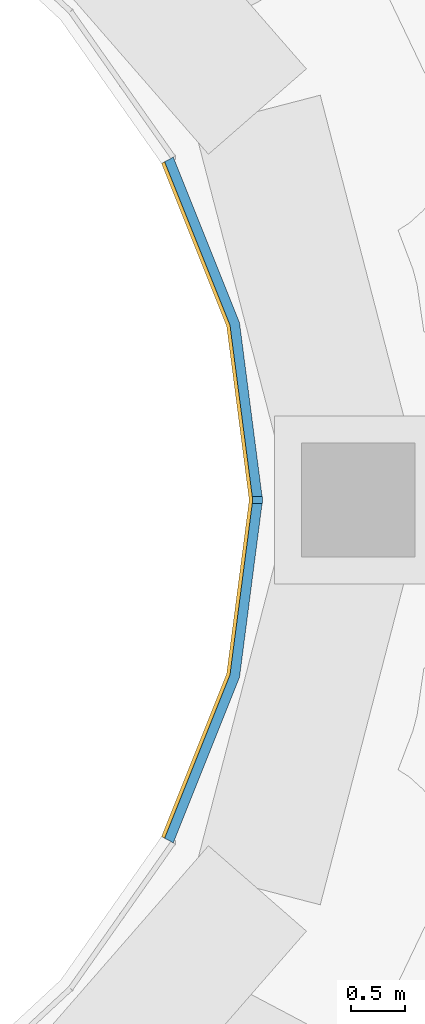
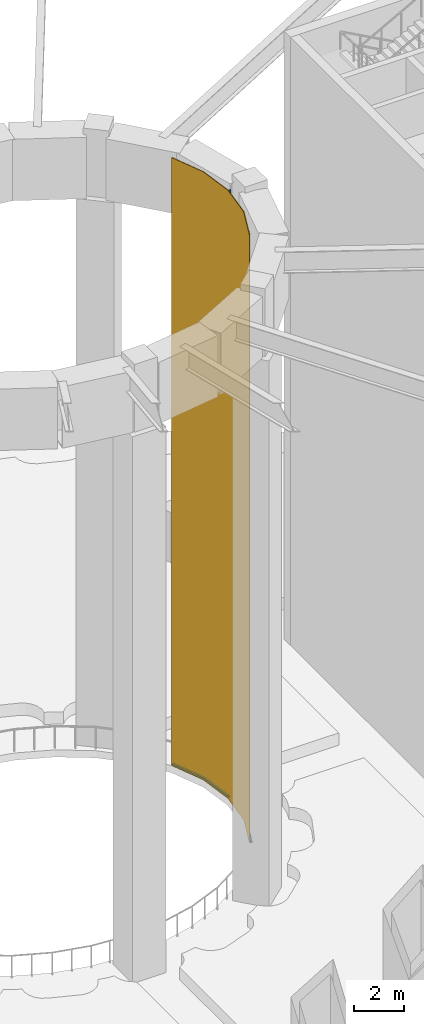
# One storey, part 11 of 26: 3 members, 1 curtain wall.
"""IFC4 building model written with IfcOpenShell, lengths in metres."""

from ifc_helpers import new_model, si_unit, direction, frame, origin, origin_2d, place, context, subcontext, project, spatial, polyline, rectangle, outline, extrude, material, layer, layer_set, material_profile, profile_set, type_object, element, aggregate, save


model = new_model("IFC4")

# Units and contexts
model_context = context("Model", 3, precision=1e-05, world=origin(), true_north=direction((0.0, 1.0)))
body_context = subcontext(model_context, "Body", "Model", "MODEL_VIEW")
ifc_project = project(units=[si_unit("LENGTHUNIT", "METRE"), si_unit("AREAUNIT", "SQUARE_METRE"), si_unit("VOLUMEUNIT", "CUBIC_METRE"), si_unit("PLANEANGLEUNIT", "RADIAN"), si_unit("MASSUNIT", "GRAM", prefix="KILO")], contexts=[model_context])

# Member
ifc_material_1 = material(Name="Steel S355 fire-resisting frame", Category="steel")
ifc_material_profile = material_profile(ifc_material_1, rectangle(XDim=0.090087890625, YDim=0.06005859375, at=origin_2d()), Name="90x60")
ifc_profile_set = profile_set([ifc_material_profile], Name="Steel S355 fire-resisting frame")
member_type_1 = type_object("IfcMemberType", Name="ENV-MULLION-W-90", PredefinedType="MULLION", material=ifc_profile_set)
site_placement = place(None, origin())
building_placement = place(site_placement, origin())
storey_placement = place(building_placement, frame((0.0, 0.0, 203.5)))
member_1_placement = place(storey_placement, frame((9.076904296875, 0.0, 0.0), z_axis=(0.0, 0.0, 1.0), x_axis=(1.0, 0.0, 0.0)))
member_1 = element("IfcMember", 1, at=member_1_placement, type_object=member_type_1, Name="Mullion W well vertex 01", PredefinedType="MULLION", context=body_context, shape_type="SweptSolid", body=[
    extrude(rectangle(XDim=0.090087890625, YDim=0.06005859375, at=origin_2d()), origin(), (0.0, 0.0, 1.0), 29.699951171875),
])

ifc_material_2 = material(Name="Steel S355 fire-resisting frame", Category="steel")
member_type_2 = type_object("IfcMemberType", Name="ENV-TRANSOM-W", PredefinedType="USERDEFINED", material=ifc_material_2)
member_2_placement = place(storey_placement, origin())
member_2 = element("IfcMember", 2, at=member_2_placement, type_object=member_type_2, Name="Transom W well 31-01", ObjectType="TRANSOM", PredefinedType="USERDEFINED", context=body_context, shape_type="SweptSolid", body=[
    extrude(outline(polyline([(8.29833984375, -3.167236328125), (8.910400390625, -1.63623046875), (9.119384765625, -0.02783203125), (9.02880859375, -0.02783203125), (8.822509765625, -1.61328125), (8.21875, -3.124267578125), (8.29833984375, -3.167236328125)])), origin(), (0.0, 0.0, 1.0), 0.080078125),
])

member_3_placement = place(storey_placement, origin())
member_3 = element("IfcMember", 3, at=member_3_placement, type_object=member_type_2, Name="Transom W well 01-03", ObjectType="TRANSOM", PredefinedType="USERDEFINED", context=body_context, shape_type="SweptSolid", body=[
    extrude(outline(polyline([(9.119384765625, 0.02783203125), (8.910400390625, 1.63623046875), (8.29833984375, 3.167236328125), (8.21875, 3.124267578125), (8.822509765625, 1.61328125), (9.02880859375, 0.02783203125), (9.119384765625, 0.02783203125)])), origin(), (0.0, 0.0, 1.0), 0.080078125),
])

# Site, building, storey
site = spatial("IfcSite", under=ifc_project, at=site_placement, CompositionType="ELEMENT")
building = spatial("IfcBuilding", under=site, at=building_placement, Name="Noorbagh Ring Tower", CompositionType="ELEMENT")
storey = spatial("IfcBuildingStorey", under=building, at=storey_placement, Name="L47", CompositionType="ELEMENT", Elevation=203.5)

# Curtain wall
ifc_material_3 = material(Name="Glass fire-resisting E60 laminated", Category="glass")
ifc_layer = layer(ifc_material_3, 0.031982421875)
ifc_layer_set = layer_set([ifc_layer], Name="Glass fire-resisting E60 laminated")
curtain_wall_type = type_object("IfcCurtainWallType", Name="ENV-CW-W", PredefinedType="NOTDEFINED", material=ifc_layer_set)
curtain_wall_placement = place(storey_placement, origin())
curtain_wall = element("IfcCurtainWall", 4, at=curtain_wall_placement, inside=storey, type_object=curtain_wall_type, Name="Curtain wall W W31", PredefinedType="NOTDEFINED", context=body_context, shape_type="SweptSolid", body=[
    extrude(outline(polyline([(8.21875, -3.124267578125), (8.822509765625, -1.61328125), (9.0322265625, 0.0), (8.822509765625, 1.61328125), (8.21875, 3.124267578125), (8.1904296875, 3.10888671875), (8.79150390625, 1.605224609375), (9.0, 0.0), (8.79150390625, -1.605224609375), (8.1904296875, -3.10888671875), (8.21875, -3.124267578125)])), origin(), (0.0, 0.0, 1.0), 29.699951171875),
])

aggregate(curtain_wall, [member_1, member_2, member_3])

save(model, "model.ifc")
